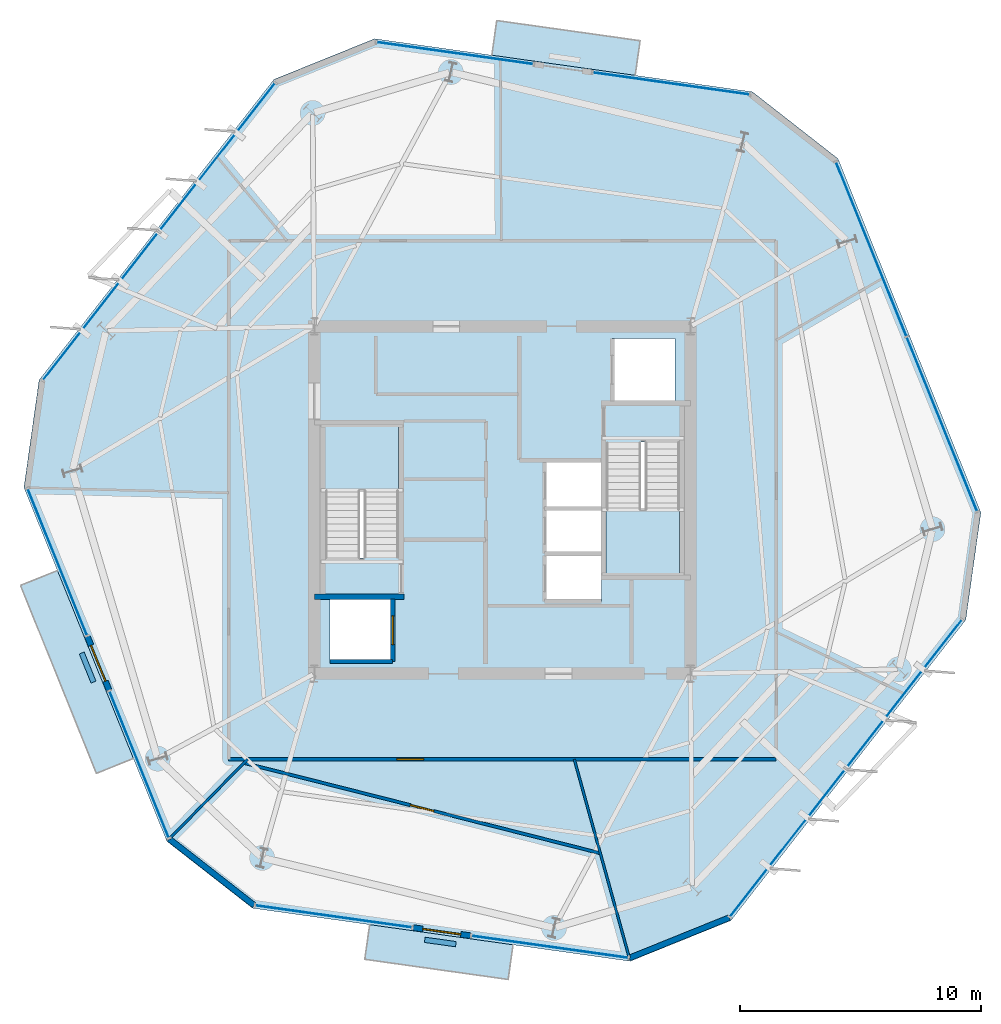
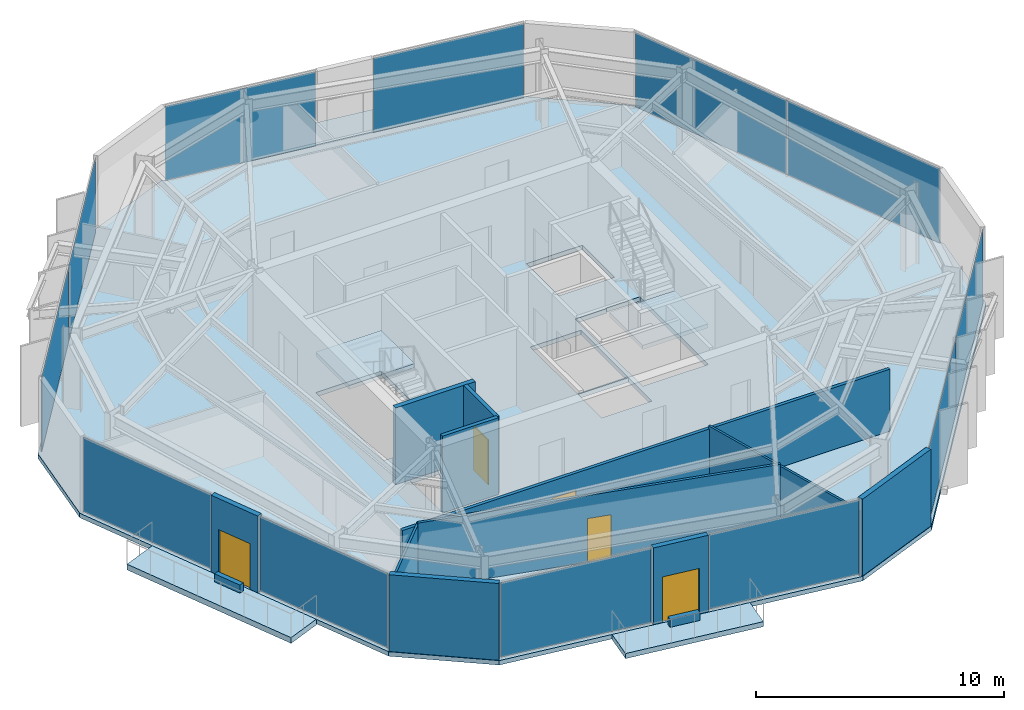
# One storey, part 6 of 11: 13 walls, 12 plates, 6 slabs, 5 doors, 5 openings, 11 elements without a shape of their own.
"""IFC4 building model written with IfcOpenShell, lengths in metres."""

from ifc_helpers import new_model, si_unit, direction, frame, frame_2d, origin, origin_2d, place, context, subcontext, project, spatial, polyline, rectangle, outline, extrude, material, layer, layer_set, type_object, element, fill, aggregate, save


model = new_model("IFC4")

# Units and contexts
model_context = context("Model", 3, precision=1e-05, world=origin(), true_north=direction((0.0, 1.0)))
body_context = subcontext(model_context, "Body", "Model", "MODEL_VIEW")
ifc_project = project(units=[si_unit("LENGTHUNIT", "METRE"), si_unit("AREAUNIT", "SQUARE_METRE"), si_unit("VOLUMEUNIT", "CUBIC_METRE"), si_unit("PLANEANGLEUNIT", "RADIAN"), si_unit("MASSUNIT", "GRAM", prefix="KILO")], contexts=[model_context])

# Site, building, storey
site_placement = place(None, origin())
site = spatial("IfcSite", under=ifc_project, at=site_placement, CompositionType="ELEMENT")
building_placement = place(site_placement, origin())
building = spatial("IfcBuilding", under=site, at=building_placement, Name="Kranzbogen Civic Tower", CompositionType="ELEMENT")
storey_placement = place(building_placement, frame((0.0, 0.0, 232.800048828125)))
storey = spatial("IfcBuildingStorey", under=building, at=storey_placement, Name="L56", CompositionType="ELEMENT", Elevation=232.800048828125)

# Slab
ifc_material_1 = material(Name="Concrete C40/50", Category="concrete")
ifc_layer_1 = layer(ifc_material_1, 0.219970703125, Name="Concrete C40/50")
ifc_layer_set_1 = layer_set([ifc_layer_1], Name="Concrete C40/50")
slab_type_1 = type_object("IfcSlabType", Name="Composite Upper Tower Floor Slab 220 mm", PredefinedType="FLOOR", material=ifc_layer_set_1)
slab_1_placement = place(storey_placement, frame((0.0, 0.0, -0.219970703125)))
element("IfcSlab", 1, at=slab_1_placement, inside=storey, type_object=slab_type_1, Name="L56 tower floor slab", PredefinedType="FLOOR", context=body_context, shape_type="SweptSolid", body=[
    extrude(outline(polyline([(35.365966796875, 41.922119140625), (19.699951171875, 44.1240234375), (15.528076171875, 42.43798828125), (5.7890625, 29.971923828125), (5.162109375, 25.51611328125), (11.087890625, 10.847900390625), (14.634033203125, 8.077880859375), (30.300048828125, 5.8759765625), (34.471923828125, 7.56201171875), (44.2109375, 20.028076171875), (44.837890625, 24.48388671875), (38.912109375, 39.152099609375), (35.365966796875, 41.922119140625)]), holes=[polyline([(17.85009765625, 20.89990234375), (20.449951171875, 20.89990234375), (20.449951171875, 18.300048828125), (17.85009765625, 18.300048828125), (17.85009765625, 20.89990234375)]), polyline([(29.10009765625, 22.699951171875), (29.10009765625, 20.800048828125), (26.75, 20.800048828125), (26.75, 22.699951171875), (29.10009765625, 22.699951171875)]), polyline([(29.10009765625, 24.64990234375), (29.10009765625, 22.77490234375), (26.75, 22.77490234375), (26.75, 24.64990234375), (26.75, 24.675048828125), (26.75, 26.550048828125), (29.10009765625, 26.550048828125), (29.10009765625, 24.675048828125), (29.10009765625, 24.64990234375)]), polyline([(29.300048828125, 27.340087890625), (30.75, 27.340087890625), (30.75, 27.39990234375), (32.35009765625, 27.39990234375), (32.35009765625, 21.89990234375), (29.300048828125, 21.89990234375), (29.300048828125, 27.340087890625)]), polyline([(20.699951171875, 22.659912109375), (19.25, 22.659912109375), (19.25, 22.60009765625), (17.64990234375, 22.60009765625), (17.64990234375, 28.10009765625), (20.699951171875, 28.10009765625), (20.699951171875, 22.659912109375)]), polyline([(32.14990234375, 31.699951171875), (32.14990234375, 29.10009765625), (29.550048828125, 29.10009765625), (29.550048828125, 31.699951171875), (32.14990234375, 31.699951171875)])]), origin(), (0.0, 0.0, 1.0), 0.219970703125),
])

# Curtain wall, plate
ifc_material_2 = material(Name="Pale Anodised Aluminium", Category="aluminium")
ifc_layer_2 = layer(ifc_material_2, 0.219970703125, Name="Pale Anodised Aluminium")
ifc_layer_set_2 = layer_set([ifc_layer_2], Name="Pale Anodised Aluminium")
curtain_wall_type = type_object("IfcCurtainWallType", Name="Zone 3 Stick Curtain Wall System CW-04", PredefinedType="USERDEFINED", material=ifc_layer_set_2)
curtain_wall_1_placement = place(storey_placement, origin())
curtain_wall_1 = element("IfcCurtainWall", 2, at=curtain_wall_1_placement, inside=storey, type_object=curtain_wall_type, Name="L56 curtain wall CW-L56-F1-S1", ObjectType="STICK CURTAIN WALL", PredefinedType="USERDEFINED")
ifc_material_3 = material(Name="Low-E Triple Glazing Glass", Category="glass")
ifc_layer_3 = layer(ifc_material_3, 0.030029296875, Name="Low-E Triple Glazing Glass")
ifc_layer_set_3 = layer_set([ifc_layer_3], Name="Low-E Triple Glazing Glass")
plate_type = type_object("IfcPlateType", Name="Insulated Low-E Glazing Panel 30 mm", PredefinedType="CURTAIN_PANEL", material=ifc_layer_set_3)
plate_1_placement = place(storey_placement, frame((31.99853515625, 42.26611328125, 0.06005859375), z_axis=(0.0, 0.0, 1.0), x_axis=(-0.99026855673, 0.139169628699, 0.0)))
plate_1 = element("IfcPlate", 3, at=plate_1_placement, type_object=plate_type, Name="CW-04 panel 1.1", PredefinedType="CURTAIN_PANEL", context=body_context, shape_type="SweptSolid", body=[
    extrude(rectangle(XDim=6.53369140625, YDim=0.028076171875, at=origin_2d()), origin(), (0.0, 0.0, 1.0), 3.659912109375),
])
aggregate(curtain_wall_1, [plate_1])

curtain_wall_2_placement = place(storey_placement, origin())
curtain_wall_2 = element("IfcCurtainWall", 4, at=curtain_wall_2_placement, inside=storey, type_object=curtain_wall_type, Name="L56 curtain wall CW-L56-F1-S2", ObjectType="STICK CURTAIN WALL", PredefinedType="USERDEFINED")
plate_2_placement = place(storey_placement, frame((23.031982421875, 43.52587890625, 0.06005859375), z_axis=(0.0, 0.0, 1.0), x_axis=(-0.990271466947, 0.139148919332, 0.0)))
plate_2 = element("IfcPlate", 5, at=plate_2_placement, type_object=plate_type, Name="CW-04 panel 1.1", PredefinedType="CURTAIN_PANEL", context=body_context, shape_type="SweptSolid", body=[
    extrude(rectangle(XDim=6.53466796875, YDim=0.028076171875, at=origin_2d()), origin(), (0.0, 0.0, 1.0), 3.659912109375),
])
aggregate(curtain_wall_2, [plate_2])

# Curtain wall, plates
curtain_wall_3_placement = place(storey_placement, origin())
curtain_wall_3 = element("IfcCurtainWall", 6, at=curtain_wall_3_placement, inside=storey, type_object=curtain_wall_type, Name="L56 curtain wall CW-L56-F2", ObjectType="STICK CURTAIN WALL", PredefinedType="USERDEFINED")
plate_3_placement = place(storey_placement, frame((13.168212890625, 39.208740234375, 0.06005859375), z_axis=(0.0, 0.0, 1.0), x_axis=(-0.615631687439, -0.788034025548, 0.0)))
plate_3 = element("IfcPlate", 7, at=plate_3_placement, type_object=plate_type, Name="CW-04 panel 1.1", PredefinedType="CURTAIN_PANEL", context=body_context, shape_type="SweptSolid", body=[
    extrude(rectangle(XDim=7.763671875, YDim=0.028076171875, at=origin_2d()), origin(), (0.0, 0.0, 1.0), 3.659912109375),
])
plate_4_placement = place(storey_placement, frame((8.351806640625, 33.043212890625, 0.06005859375), z_axis=(0.0, 0.0, 1.0), x_axis=(-0.615631687439, -0.788034025548, 0.0)))
plate_4 = element("IfcPlate", 8, at=plate_4_placement, type_object=plate_type, Name="CW-04 panel 2.1", PredefinedType="CURTAIN_PANEL", context=body_context, shape_type="SweptSolid", body=[
    extrude(rectangle(XDim=7.763671875, YDim=0.028076171875, at=origin_2d()), origin(), (0.0, 0.0, 1.0), 3.659912109375),
])
aggregate(curtain_wall_3, [plate_3, plate_4])

# Curtain wall, plate
curtain_wall_4_placement = place(storey_placement, origin())
curtain_wall_4 = element("IfcCurtainWall", 9, at=curtain_wall_4_placement, inside=storey, type_object=curtain_wall_type, Name="L56 curtain wall CW-L56-F3-S1", ObjectType="STICK CURTAIN WALL", PredefinedType="USERDEFINED")
plate_5_placement = place(storey_placement, frame((6.548095703125, 22.427490234375, 0.06005859375), z_axis=(0.0, 0.0, 1.0), x_axis=(0.374550026583, -0.927206707044, 0.0)))
plate_5 = element("IfcPlate", 10, at=plate_5_placement, type_object=plate_type, Name="CW-04 panel 1.1", PredefinedType="CURTAIN_PANEL", context=body_context, shape_type="SweptSolid", body=[
    extrude(rectangle(XDim=6.533203125, YDim=0.028076171875, at=origin_2d()), origin(), (0.0, 0.0, 1.0), 3.659912109375),
])
aggregate(curtain_wall_4, [plate_5])

curtain_wall_5_placement = place(storey_placement, origin())
curtain_wall_5 = element("IfcCurtainWall", 11, at=curtain_wall_5_placement, inside=storey, type_object=curtain_wall_type, Name="L56 curtain wall CW-L56-F3-S2", ObjectType="STICK CURTAIN WALL", PredefinedType="USERDEFINED")
plate_6_placement = place(storey_placement, frame((9.939453125, 14.032470703125, 0.06005859375), z_axis=(0.0, 0.0, 1.0), x_axis=(0.374679231258, -0.927154503664, 0.0)))
plate_6 = element("IfcPlate", 12, at=plate_6_placement, type_object=plate_type, Name="CW-04 panel 1.1", PredefinedType="CURTAIN_PANEL", context=body_context, shape_type="SweptSolid", body=[
    extrude(rectangle(XDim=6.53369140625, YDim=0.028076171875, at=origin_2d()), origin(), (0.0, 0.0, 1.0), 3.659912109375),
])
aggregate(curtain_wall_5, [plate_6])

curtain_wall_6_placement = place(storey_placement, origin())
curtain_wall_6 = element("IfcCurtainWall", 13, at=curtain_wall_6_placement, inside=storey, type_object=curtain_wall_type, Name="L56 curtain wall CW-L56-F4-S1", ObjectType="STICK CURTAIN WALL", PredefinedType="USERDEFINED")
plate_7_placement = place(storey_placement, frame((18.001953125, 7.73388671875, 0.06005859375), z_axis=(0.0, 0.0, 1.0), x_axis=(0.990271466947, -0.139148919332, 0.0)))
plate_7 = element("IfcPlate", 14, at=plate_7_placement, type_object=plate_type, Name="CW-04 panel 1.1", PredefinedType="CURTAIN_PANEL", context=body_context, shape_type="SweptSolid", body=[
    extrude(rectangle(XDim=6.53466796875, YDim=0.028076171875, at=origin_2d()), origin(), (0.0, 0.0, 1.0), 3.659912109375),
])
aggregate(curtain_wall_6, [plate_7])

curtain_wall_7_placement = place(storey_placement, origin())
curtain_wall_7 = element("IfcCurtainWall", 15, at=curtain_wall_7_placement, inside=storey, type_object=curtain_wall_type, Name="L56 curtain wall CW-L56-F4-S2", ObjectType="STICK CURTAIN WALL", PredefinedType="USERDEFINED")
plate_8_placement = place(storey_placement, frame((26.968017578125, 6.47412109375, 0.06005859375), z_axis=(0.0, 0.0, 1.0), x_axis=(0.990271466947, -0.139148919332, 0.0)))
plate_8 = element("IfcPlate", 16, at=plate_8_placement, type_object=plate_type, Name="CW-04 panel 1.1", PredefinedType="CURTAIN_PANEL", context=body_context, shape_type="SweptSolid", body=[
    extrude(rectangle(XDim=6.53466796875, YDim=0.028076171875, at=origin_2d()), origin(), (0.0, 0.0, 1.0), 3.659912109375),
])
aggregate(curtain_wall_7, [plate_8])

# Curtain wall, plates
curtain_wall_8_placement = place(storey_placement, origin())
curtain_wall_8 = element("IfcCurtainWall", 17, at=curtain_wall_8_placement, inside=storey, type_object=curtain_wall_type, Name="L56 curtain wall CW-L56-F5", ObjectType="STICK CURTAIN WALL", PredefinedType="USERDEFINED")
plate_9_placement = place(storey_placement, frame((36.831787109375, 10.791259765625, 0.06005859375), z_axis=(0.0, 0.0, 1.0), x_axis=(0.615631687439, 0.788034025548, 0.0)))
plate_9 = element("IfcPlate", 18, at=plate_9_placement, type_object=plate_type, Name="CW-04 panel 1.1", PredefinedType="CURTAIN_PANEL", context=body_context, shape_type="SweptSolid", body=[
    extrude(rectangle(XDim=7.763671875, YDim=0.028076171875, at=origin_2d()), origin(), (0.0, 0.0, 1.0), 3.659912109375),
])
plate_10_placement = place(storey_placement, frame((41.648193359375, 16.956787109375, 0.06005859375), z_axis=(0.0, 0.0, 1.0), x_axis=(0.615631687439, 0.788034025548, 0.0)))
plate_10 = element("IfcPlate", 19, at=plate_10_placement, type_object=plate_type, Name="CW-04 panel 2.1", PredefinedType="CURTAIN_PANEL", context=body_context, shape_type="SweptSolid", body=[
    extrude(rectangle(XDim=7.763671875, YDim=0.028076171875, at=origin_2d()), origin(), (0.0, 0.0, 1.0), 3.659912109375),
])
aggregate(curtain_wall_8, [plate_9, plate_10])

curtain_wall_9_placement = place(storey_placement, origin())
curtain_wall_9 = element("IfcCurtainWall", 20, at=curtain_wall_9_placement, inside=storey, type_object=curtain_wall_type, Name="L56 curtain wall CW-L56-F6", ObjectType="STICK CURTAIN WALL", PredefinedType="USERDEFINED")
plate_11_placement = place(storey_placement, frame((43.221435546875, 28.142822265625, 0.06005859375), z_axis=(0.0, 0.0, 1.0), x_axis=(-0.374593570389, 0.927189116105, 0.0)))
plate_11 = element("IfcPlate", 21, at=plate_11_placement, type_object=plate_type, Name="CW-04 panel 1.1", PredefinedType="CURTAIN_PANEL", context=body_context, shape_type="SweptSolid", body=[
    extrude(rectangle(XDim=7.763916015625, YDim=0.028076171875, at=origin_2d()), origin(), (0.0, 0.0, 1.0), 3.659912109375),
])
plate_12_placement = place(storey_placement, frame((40.29052734375, 35.39697265625, 0.06005859375), z_axis=(0.0, 0.0, 1.0), x_axis=(-0.374593570389, 0.927189116105, 0.0)))
plate_12 = element("IfcPlate", 22, at=plate_12_placement, type_object=plate_type, Name="CW-04 panel 2.1", PredefinedType="CURTAIN_PANEL", context=body_context, shape_type="SweptSolid", body=[
    extrude(rectangle(XDim=7.763916015625, YDim=0.028076171875, at=origin_2d()), origin(), (0.0, 0.0, 1.0), 3.659912109375),
])
aggregate(curtain_wall_9, [plate_11, plate_12])

# Stair, slab
ifc_material_4 = material(Name="Precast concrete C40/50", Category="concrete")
stair_type_1 = type_object("IfcStairType", Name="Tower Core Pressurized Dogleg Stair 1450", PredefinedType="HALF_TURN_STAIR", material=ifc_material_4)
stair_1_placement = place(storey_placement, origin())
stair_1 = element("IfcStair", 23, at=stair_1_placement, inside=storey, type_object=stair_type_1, Name="L56 Tower Core Pressurized Stair 1", PredefinedType="HALF_TURN_STAIR")
ifc_layer_4 = layer(ifc_material_4, 0.199951171875, Name="Precast concrete C40/50")
ifc_layer_set_4 = layer_set([ifc_layer_4], Name="Precast concrete C40/50")
slab_type_2 = type_object("IfcSlabType", Name="Precast Concrete Stair Landing Slab 200 mm", PredefinedType="LANDING", material=ifc_layer_set_4)
slab_2_placement = place(storey_placement, frame((0.0, 0.0, 1.800048828125)))
slab_2 = element("IfcSlab", 24, at=slab_2_placement, type_object=slab_type_2, Name="ST-T1 landing 1", PredefinedType="LANDING", context=body_context, shape_type="SweptSolid", body=[
    extrude(outline(polyline([(20.699951171875, 25.39990234375), (20.699951171875, 28.10009765625), (17.64990234375, 28.10009765625), (17.64990234375, 25.39990234375), (20.699951171875, 25.39990234375)])), origin(), (0.0, 0.0, 1.0), 0.199951171875),
])
aggregate(stair_1, [slab_2])

stair_type_2 = type_object("IfcStairType", Name="Tower Core Secondary Dogleg Stair 1450", PredefinedType="HALF_TURN_STAIR", material=ifc_material_4)
stair_2_placement = place(storey_placement, origin())
stair_2 = element("IfcStair", 25, at=stair_2_placement, inside=storey, type_object=stair_type_2, Name="L56 Tower Core Pressurized Stair 2", PredefinedType="HALF_TURN_STAIR")
slab_3_placement = place(storey_placement, frame((0.0, 0.0, 1.800048828125)))
slab_3 = element("IfcSlab", 26, at=slab_3_placement, type_object=slab_type_2, Name="ST-T2 landing 1", PredefinedType="LANDING", context=body_context, shape_type="SweptSolid", body=[
    extrude(outline(polyline([(29.300048828125, 24.60009765625), (29.300048828125, 21.89990234375), (32.35009765625, 21.89990234375), (32.35009765625, 24.60009765625), (29.300048828125, 24.60009765625)])), origin(), (0.0, 0.0, 1.0), 0.199951171875),
])
aggregate(stair_2, [slab_3])

# Slabs
ifc_layer_5 = layer(ifc_material_1, 0.280029296875, Name="Concrete C40/50")
ifc_layer_set_5 = layer_set([ifc_layer_5], Name="Concrete C40/50")
slab_type_3 = type_object("IfcSlabType", Name="Spiral Terrace Cantilevered Slab 280 mm", PredefinedType="FLOOR", material=ifc_layer_set_5)
slab_4_placement = place(storey_placement, frame((0.0, 0.0, -0.280029296875)))
element("IfcSlab", 27, at=slab_4_placement, inside=storey, type_object=slab_type_3, Name="L56 cantilevered spiral terrace L56-ST", PredefinedType="FLOOR", context=body_context, shape_type="SweptSolid", body=[
    extrude(outline(polyline([(6.552001953125, 22.075927734375), (9.698974609375, 14.2880859375), (8.1689453125, 13.669921875), (5.02197265625, 21.4580078125), (6.552001953125, 22.075927734375)])), origin(), (0.0, 0.0, 1.0), 0.280029296875),
])
ifc_layer_6 = layer(ifc_material_1, 0.25, Name="Concrete C40/50")
ifc_layer_set_6 = layer_set([ifc_layer_6], Name="Concrete C40/50")
slab_type_4 = type_object("IfcSlabType", Name="Tree Balcony Cantilevered Slab 250 mm", PredefinedType="FLOOR", material=ifc_layer_set_6)
slab_5_placement = place(storey_placement, frame((0.0, 0.0, -0.25)))
element("IfcSlab", 28, at=slab_5_placement, inside=storey, type_object=slab_type_4, Name="L56 cantilevered tree balcony L56-TB1", PredefinedType="FLOOR", context=body_context, shape_type="SweptSolid", body=[
    extrude(outline(polyline([(30.50390625, 42.60498046875), (24.56201171875, 43.43994140625), (24.763916015625, 44.8759765625), (30.7060546875, 44.041015625), (30.50390625, 42.60498046875)])), origin(), (0.0, 0.0, 1.0), 0.25),
])
slab_6_placement = place(storey_placement, frame((0.0, 0.0, -0.25)))
element("IfcSlab", 29, at=slab_6_placement, inside=storey, type_object=slab_type_4, Name="L56 cantilevered tree balcony L56-TB2", PredefinedType="FLOOR", context=body_context, shape_type="SweptSolid", body=[
    extrude(outline(polyline([(19.49609375, 7.39501953125), (25.43798828125, 6.56005859375), (25.236083984375, 5.1240234375), (19.2939453125, 5.958984375), (19.49609375, 7.39501953125)])), origin(), (0.0, 0.0, 1.0), 0.25),
])

# Wall, opening, door
ifc_material_5 = material(Name="Double-Stud Acoustic Gypsum Partition")
ifc_layer_7 = layer(ifc_material_5, 0.14990234375, Name="Double-Stud Acoustic Gypsum Partition")
ifc_layer_set_7 = layer_set([ifc_layer_7], Name="Double-Stud Acoustic Gypsum Partition")
wall_type_1 = type_object("IfcWallType", Name="Acoustic Corridor and Clinical Partition 150 mm", PredefinedType="PARTITIONING", material=ifc_layer_set_7)
wall_1_placement = place(storey_placement, frame((36.35009765625, 14.25, 0.0), z_axis=(0.0, 0.0, 1.0), x_axis=(-1.0, 0.0, 0.0)))
wall_1 = element("IfcWall", 30, at=wall_1_placement, inside=storey, type_object=wall_type_1, Name="L56 corridor partition 03", PredefinedType="PARTITIONING", context=body_context, shape_type="SweptSolid", body=[
    extrude(rectangle(XDim=22.7001953125, YDim=0.14990234375, at=frame_2d((11.35009765625, 0.0))), origin(), (0.0, 0.0, 1.0), 3.050048828125),
])
opening_1_placement = place(wall_1_placement, frame((14.62109375, 0.0, 0.0)))
opening_1 = element("IfcOpeningElement", 31, at=opening_1_placement, cuts=wall_1, Name="Opening D-COR60", PredefinedType="OPENING", context=body_context, shape_type="SweptSolid", body=[
    extrude(rectangle(XDim=1.10009765625, YDim=2.199951171875, at=frame_2d((0.550048828125, 1.10009765625))), frame((0.0, 0.0849609375, 0.0), z_axis=(0.0, -1.0, 0.0), x_axis=(1.0, 0.0, 0.0)), (0.0, 0.0, 1.0), 0.169921875),
])
ifc_material_6 = material(Name="Oak Timber and Fire Core", Category="wood")
door_type_1 = type_object("IfcDoorType", Name="Corridor Acoustic Fire Door 1100x2200", OperationType="NOTDEFINED", PredefinedType="DOOR", material=ifc_material_6)
door_1_placement = place(opening_1_placement, origin())
door_1 = element("IfcDoor", 32, at=door_1_placement, inside=storey, type_object=door_type_1, Name="L56 Executive Research Study door", OperationType="SINGLE_SWING_LEFT", OverallHeight=2.199951171875, OverallWidth=1.10009765625, PredefinedType="DOOR", context=body_context, shape_type="SweptSolid", body=[
    extrude(rectangle(XDim=1.10009765625, YDim=2.199951171875, at=frame_2d((0.550048828125, 1.10009765625))), frame((0.0, 0.02490234375, 0.0), z_axis=(0.0, -1.0, 0.0), x_axis=(1.0, 0.0, 0.0)), (0.0, 0.0, 1.0), 0.050048828125),
])
fill(opening_1, door_1)

ifc_material_7 = material(Name="Insulated Metal-Stud Gypsum Partition")
ifc_layer_8 = layer(ifc_material_7, 0.125, Name="Insulated Metal-Stud Gypsum Partition")
ifc_layer_set_8 = layer_set([ifc_layer_8], Name="Insulated Metal-Stud Gypsum Partition")
wall_type_2 = type_object("IfcWallType", Name="Acoustic Inter-Room Partition 125 mm", PredefinedType="PARTITIONING", material=ifc_layer_set_8)
wall_2_placement = place(storey_placement, frame((14.300048828125, 14.093994140625, 0.0), z_axis=(0.0, 0.0, 1.0), x_axis=(0.969369895499, -0.245605386139, 0.0)))
wall_2 = element("IfcWall", 33, at=wall_2_placement, inside=storey, type_object=wall_type_2, Name="L56 suite chord partition 01", PredefinedType="PARTITIONING", context=body_context, shape_type="SweptSolid", body=[
    extrude(rectangle(XDim=15.207763671875, YDim=0.125, at=frame_2d((7.60400390625, 0.0))), origin(), (0.0, 0.0, 1.0), 3.280029296875),
])
opening_2_placement = place(wall_2_placement, frame((7.10400390625, 0.0, 0.0)))
opening_2 = element("IfcOpeningElement", 34, at=opening_2_placement, cuts=wall_2, Name="Opening D-OFC10", PredefinedType="OPENING", context=body_context, shape_type="SweptSolid", body=[
    extrude(rectangle(XDim=1.0, YDim=2.14990234375, at=frame_2d((0.5, 1.074951171875))), frame((0.0, 0.072509765625, 0.0), z_axis=(0.0, -1.0, 0.0), x_axis=(1.0, 0.0, 0.0)), (0.0, 0.0, 1.0), 0.14501953125),
])
ifc_material_8 = material(Name="Oak Timber Veneer", Category="wood")
door_type_2 = type_object("IfcDoorType", Name="Standard Office Acoustic Door 1000x2150", OperationType="NOTDEFINED", PredefinedType="DOOR", material=ifc_material_8)
door_2_placement = place(opening_2_placement, origin())
door_2 = element("IfcDoor", 35, at=door_2_placement, inside=storey, type_object=door_type_2, Name="L56 Protocol Dining Room door", OperationType="SINGLE_SWING_RIGHT", OverallHeight=2.14990234375, OverallWidth=1.0, PredefinedType="DOOR", context=body_context, shape_type="SweptSolid", body=[
    extrude(rectangle(XDim=1.0, YDim=2.14990234375, at=frame_2d((0.5, 1.074951171875))), frame((0.0, 0.02490234375, 0.0), z_axis=(0.0, -1.0, 0.0), x_axis=(1.0, 0.0, 0.0)), (0.0, 0.0, 1.0), 0.050048828125),
])
fill(opening_2, door_2)

# Walls
ifc_material_9 = material(Name="Architectural Precast Terracotta Concrete C40/50", Category="masonry")
ifc_layer_9 = layer(ifc_material_9, 0.219970703125, Name="Architectural Precast Terracotta Concrete C40/50")
ifc_layer_set_9 = layer_set([ifc_layer_9], Name="Architectural Precast Terracotta Concrete C40/50")
wall_type_3 = type_object("IfcWallType", Name="Architectural Tree Planter Kerb Wall 220 mm", PredefinedType="USERDEFINED", material=ifc_layer_set_9)
wall_3_placement = place(storey_placement, frame((21.781005859375, 6.76611328125, 0.0), z_axis=(0.0, 0.0, 1.0), x_axis=(0.990358235174, -0.138530018491, 0.0)))
element("IfcWall", 36, at=wall_3_placement, inside=storey, type_object=wall_type_3, Name="L56 landscaped tree balcony planter L56-TB2", ObjectType="PLANTER_WALL", PredefinedType="USERDEFINED", context=body_context, shape_type="SweptSolid", body=[
    extrude(rectangle(XDim=1.300537109375, YDim=0.219970703125, at=frame_2d((0.650390625, 0.0))), origin(), (0.0, 0.0, 1.0), 0.39990234375),
])
wall_4_placement = place(storey_placement, frame((7.56005859375, 18.655029296875, 0.0), z_axis=(0.0, 0.0, 1.0), x_axis=(0.375108300877, -0.926980993663, 0.0)))
element("IfcWall", 37, at=wall_4_placement, inside=storey, type_object=wall_type_3, Name="L56 landscaped tree balcony planter L56-ST", ObjectType="PLANTER_WALL", PredefinedType="USERDEFINED", context=body_context, shape_type="SweptSolid", body=[
    extrude(rectangle(XDim=1.301025390625, YDim=0.219970703125, at=frame_2d((0.650390625, 0.0))), origin(), (0.0, 0.0, 1.0), 0.39990234375),
])
ifc_material_10 = material(Name="Concrete C45/55", Category="concrete")
ifc_layer_10 = layer(ifc_material_10, 0.219970703125, Name="Concrete C45/55")
ifc_layer_set_10 = layer_set([ifc_layer_10], Name="Concrete C45/55")
wall_type_4 = type_object("IfcWallType", Name="Core Internal Stair Structural Wall 220 mm", PredefinedType="SOLIDWALL", material=ifc_layer_set_10)
wall_5_placement = place(storey_placement, frame((17.199951171875, 20.989990234375, 0.0), z_axis=(0.0, 0.0, 1.0), x_axis=(1.0, 0.0, 0.0)))
element("IfcWall", 38, at=wall_5_placement, inside=storey, type_object=wall_type_4, Name="L56 ST-T1 South structural stair wall", PredefinedType="SOLIDWALL", context=body_context, shape_type="SweptSolid", body=[
    extrude(rectangle(XDim=3.719970703125, YDim=0.219970703125, at=frame_2d((1.85986328125, 0.0))), origin(), (0.0, 0.0, 1.0), 3.780029296875),
])
ifc_material_11 = material(Name="Demountable Aluminium and Gypsum Partition", Category="aluminium")
ifc_layer_11 = layer(ifc_material_11, 0.10009765625, Name="Demountable Aluminium and Gypsum Partition")
ifc_layer_set_11 = layer_set([ifc_layer_11], Name="Demountable Aluminium and Gypsum Partition")
wall_type_5 = type_object("IfcWallType", Name="Demountable Office Partition 100 mm", PredefinedType="MOVABLE", material=ifc_layer_set_11)
wall_6_placement = place(storey_placement, frame((14.431884765625, 14.25, 0.0), z_axis=(0.0, 0.0, 1.0), x_axis=(-0.700992810531, -0.713168338882, 0.0)))
element("IfcWall", 39, at=wall_6_placement, inside=storey, type_object=wall_type_5, Name="L56 radial room partition 04", PredefinedType="MOVABLE", context=body_context, shape_type="SweptSolid", body=[
    extrude(rectangle(XDim=4.61181640625, YDim=0.10009765625, at=frame_2d((2.305908203125, 0.0))), origin(), (0.0, 0.0, 1.0), 3.179931640625),
])
wall_7_placement = place(storey_placement, frame((27.97900390625, 14.25, 0.0), z_axis=(0.0, 0.0, 1.0), x_axis=(0.267119901351, -0.963663301316, 0.0)))
element("IfcWall", 40, at=wall_7_placement, inside=storey, type_object=wall_type_5, Name="L56 radial room partition 05", PredefinedType="MOVABLE", context=body_context, shape_type="SweptSolid", body=[
    extrude(rectangle(XDim=8.531982421875, YDim=0.10009765625, at=frame_2d((4.26611328125, 0.0))), origin(), (0.0, 0.0, 1.0), 3.179931640625),
])

# Wall, opening, door
ifc_material_12 = material(Name="Gypsum Fireboard Shaftliner")
ifc_layer_12 = layer(ifc_material_12, 0.175048828125, Name="Gypsum Fireboard Shaftliner")
ifc_layer_set_12 = layer_set([ifc_layer_12], Name="Gypsum Fireboard Shaftliner")
wall_type_6 = type_object("IfcWallType", Name="Fire-Rated Lift and Service Shaft Wall 175 mm", PredefinedType="PARTITIONING", material=ifc_layer_set_12)
wall_8_placement = place(storey_placement, frame((20.449951171875, 18.300048828125, 0.0), z_axis=(0.0, 0.0, 1.0), x_axis=(0.0, 1.0, 0.0)))
wall_8 = element("IfcWall", 41, at=wall_8_placement, inside=storey, type_object=wall_type_6, Name="L56 lift FF-01 landing wall", PredefinedType="PARTITIONING", context=body_context, shape_type="SweptSolid", body=[
    extrude(rectangle(XDim=2.599853515625, YDim=0.175048828125, at=frame_2d((1.2998046875, 0.0))), origin(), (0.0, 0.0, 1.0), 3.780029296875),
])
opening_3_placement = place(wall_8_placement, frame((0.699951171875, 0.0, 0.0)))
opening_3 = element("IfcOpeningElement", 42, at=opening_3_placement, cuts=wall_8, Name="Opening LD-FF-01", PredefinedType="OPENING", context=body_context, shape_type="SweptSolid", body=[
    extrude(rectangle(XDim=1.199951171875, YDim=2.199951171875, at=frame_2d((0.60009765625, 1.10009765625))), frame((0.0, 0.09765625, 0.0), z_axis=(0.0, -1.0, 0.0), x_axis=(1.0, 0.0, 0.0)), (0.0, 0.0, 1.0), 0.195068359375),
])
door_type_3 = type_object("IfcDoorType", Name="Firefighting and Stretcher Lift Sliding Landing Door 1200x2200", OperationType="DOUBLE_DOOR_SLIDING", PredefinedType="DOOR", material=ifc_material_2)
door_3_placement = place(opening_3_placement, origin())
door_3 = element("IfcDoor", 43, at=door_3_placement, inside=storey, type_object=door_type_3, Name="L56 lift FF-01 sliding landing door", OperationType="DOUBLE_DOOR_SLIDING", OverallHeight=2.199951171875, OverallWidth=1.199951171875, PredefinedType="DOOR", context=body_context, shape_type="SweptSolid", body=[
    extrude(rectangle(XDim=1.199951171875, YDim=2.199951171875, at=frame_2d((0.60009765625, 1.10009765625))), frame((0.0, 0.02490234375, 0.0), z_axis=(0.0, -1.0, 0.0), x_axis=(1.0, 0.0, 0.0)), (0.0, 0.0, 1.0), 0.050048828125),
])
fill(opening_3, door_3)

# Wall
wall_9_placement = place(storey_placement, frame((17.85009765625, 18.300048828125, 0.0), z_axis=(0.0, 0.0, 1.0), x_axis=(1.0, 0.0, 0.0)))
element("IfcWall", 44, at=wall_9_placement, inside=storey, type_object=wall_type_6, Name="L56 lift FF-01 side wall", PredefinedType="PARTITIONING", context=body_context, shape_type="SweptSolid", body=[
    extrude(rectangle(XDim=2.599853515625, YDim=0.175048828125, at=frame_2d((1.2998046875, 0.0))), origin(), (0.0, 0.0, 1.0), 3.780029296875),
])

# Wall, opening, door
ifc_layer_13 = layer(ifc_material_2, 0.239990234375, Name="Pale Anodised Aluminium")
ifc_layer_set_13 = layer_set([ifc_layer_13], Name="Pale Anodised Aluminium")
wall_type_7 = type_object("IfcWallType", Name="Insulated Aluminium Facade Portal Wall 240 mm", PredefinedType="STANDARD", material=ifc_layer_set_13)
wall_10_placement = place(storey_placement, frame((7.7939453125, 19.343017578125, 0.0), z_axis=(0.0, 0.0, 1.0), x_axis=(0.374526940882, -0.9272160323, 0.0)))
wall_10 = element("IfcWall", 45, at=wall_10_placement, inside=storey, type_object=wall_type_7, Name="L56 exterior entrance portal wall 1", PredefinedType="STANDARD", context=body_context, shape_type="SweptSolid", body=[
    extrude(rectangle(XDim=2.40087890625, YDim=0.239990234375, at=frame_2d((1.200439453125, 0.0))), origin(), (0.0, 0.0, 1.0), 3.780029296875),
])
opening_4_placement = place(wall_10_placement, frame((0.39990234375, 0.0, 0.0)))
opening_4 = element("IfcOpeningElement", 46, at=opening_4_placement, cuts=wall_10, Name="Opening D-TER", PredefinedType="OPENING", context=body_context, shape_type="SweptSolid", body=[
    extrude(rectangle(XDim=1.60009765625, YDim=2.25, at=frame_2d((0.800048828125, 1.125))), frame((0.0, 0.1298828125, 0.0), z_axis=(0.0, -1.0, 0.0), x_axis=(1.0, 0.0, 0.0)), (0.0, 0.0, 1.0), 0.260009765625),
])
ifc_material_13 = material(Name="Anodised Bronze and Triple Glass", Category="glass")
door_type_4 = type_object("IfcDoorType", Name="Glazed Terrace and Balcony Double Door 1600x2250", OperationType="DOUBLE_DOOR_SINGLE_SWING", PredefinedType="DOOR", material=ifc_material_13)
door_4_placement = place(opening_4_placement, frame((1.60009765625, 0.0, 0.0), z_axis=(0.0, 0.0, 1.0), x_axis=(-1.0, 0.0, 0.0)))
door_4 = element("IfcDoor", 47, at=door_4_placement, inside=storey, type_object=door_type_4, Name="L56 spiral terrace access door L56-ST", OperationType="DOUBLE_DOOR_SINGLE_SWING", OverallHeight=2.25, OverallWidth=1.60009765625, PredefinedType="DOOR", context=body_context, shape_type="SweptSolid", body=[
    extrude(rectangle(XDim=1.60009765625, YDim=2.25, at=frame_2d((0.800048828125, 1.125))), frame((0.0, 0.02490234375, 0.0), z_axis=(0.0, -1.0, 0.0), x_axis=(1.0, 0.0, 0.0)), (0.0, 0.0, 1.0), 0.050048828125),
])
fill(opening_4, door_4)

# Wall
wall_11_placement = place(storey_placement, frame((11.18603515625, 10.947998046875, 0.0), z_axis=(0.0, 0.0, 1.0), x_axis=(0.788002835757, -0.615671609577, 0.0)))
element("IfcWall", 48, at=wall_11_placement, inside=storey, type_object=wall_type_7, Name="L56 chamfered corner facade spandrel 3", PredefinedType="STANDARD", context=body_context, shape_type="SweptSolid", body=[
    extrude(rectangle(XDim=4.46826171875, YDim=0.239990234375, at=frame_2d((2.234130859375, 0.0))), origin(), (0.0, 0.0, 1.0), 3.780029296875),
])

# Wall, opening, door
wall_12_placement = place(storey_placement, frame((21.297119140625, 7.27099609375, 0.0), z_axis=(0.0, 0.0, 1.0), x_axis=(0.990264470021, -0.139198704787, 0.0)))
wall_12 = element("IfcWall", 49, at=wall_12_placement, inside=storey, type_object=wall_type_7, Name="L56 exterior entrance portal wall 1", PredefinedType="STANDARD", context=body_context, shape_type="SweptSolid", body=[
    extrude(rectangle(XDim=2.3994140625, YDim=0.239990234375, at=frame_2d((1.19970703125, 0.0))), origin(), (0.0, 0.0, 1.0), 3.780029296875),
])
opening_5_placement = place(wall_12_placement, frame((0.39990234375, 0.0, 0.0)))
opening_5 = element("IfcOpeningElement", 50, at=opening_5_placement, cuts=wall_12, Name="Opening D-TER", PredefinedType="OPENING", context=body_context, shape_type="SweptSolid", body=[
    extrude(rectangle(XDim=1.60009765625, YDim=2.25, at=frame_2d((0.800048828125, 1.125))), frame((0.0, 0.1298828125, 0.0), z_axis=(0.0, -1.0, 0.0), x_axis=(1.0, 0.0, 0.0)), (0.0, 0.0, 1.0), 0.260009765625),
])
door_5_placement = place(opening_5_placement, frame((1.60009765625, 0.0, 0.0), z_axis=(0.0, 0.0, 1.0), x_axis=(-1.0, 0.0, 0.0)))
door_5 = element("IfcDoor", 51, at=door_5_placement, inside=storey, type_object=door_type_4, Name="L56 tree balcony access door L56-TB2", OperationType="DOUBLE_DOOR_SINGLE_SWING", OverallHeight=2.25, OverallWidth=1.60009765625, PredefinedType="DOOR", context=body_context, shape_type="SweptSolid", body=[
    extrude(rectangle(XDim=1.60009765625, YDim=2.25, at=frame_2d((0.800048828125, 1.125))), frame((0.0, 0.02490234375, 0.0), z_axis=(0.0, -1.0, 0.0), x_axis=(1.0, 0.0, 0.0)), (0.0, 0.0, 1.0), 0.050048828125),
])
fill(opening_5, door_5)

# Wall
wall_13_placement = place(storey_placement, frame((30.262939453125, 6.010986328125, 0.0), z_axis=(0.0, 0.0, 1.0), x_axis=(0.927140363033, 0.374714220754, 0.0)))
element("IfcWall", 52, at=wall_13_placement, inside=storey, type_object=wall_type_7, Name="L56 chamfered corner facade spandrel 4", PredefinedType="STANDARD", context=body_context, shape_type="SweptSolid", body=[
    extrude(rectangle(XDim=4.467529296875, YDim=0.239990234375, at=frame_2d((2.23388671875, 0.0))), origin(), (0.0, 0.0, 1.0), 3.780029296875),
])

save(model, "model.ifc")
